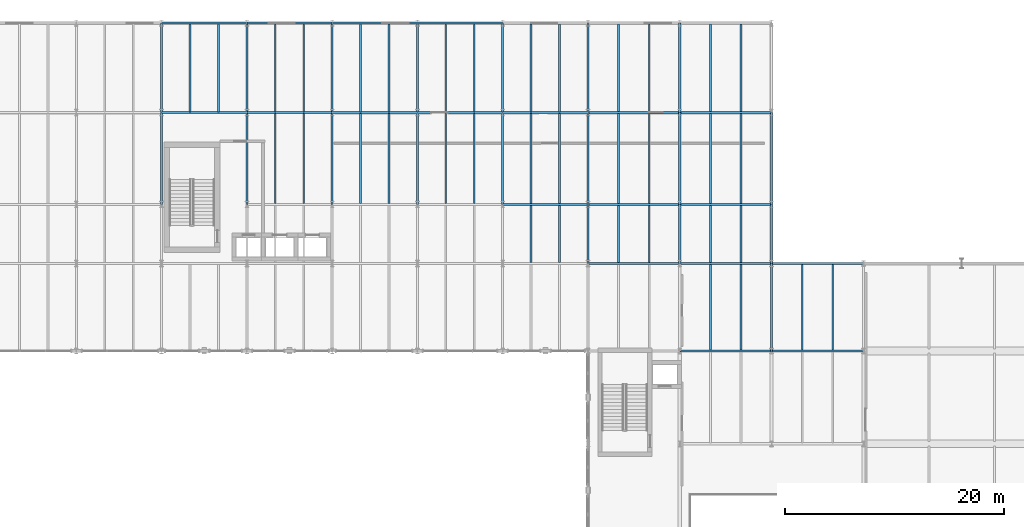
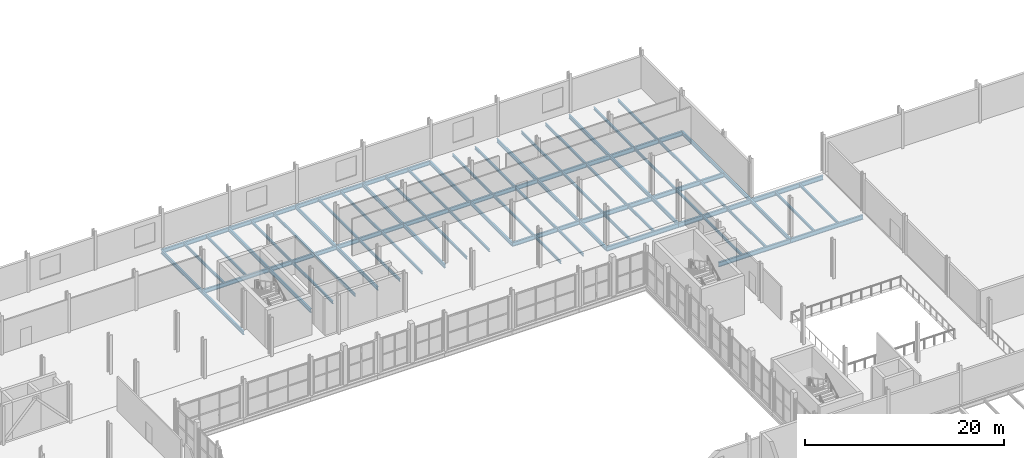
# One storey, part 32 of 63: 74 beams.
"""IFC4 building model written with IfcOpenShell, lengths in metres."""

from ifc_helpers import new_model, si_unit, direction, frame, origin, origin_2d, place, context, subcontext, project, spatial, i_section, extrude, material, material_profile, profile_set, type_object, element, save


model = new_model("IFC4")

# Units and contexts
model_context = context("Model", 3, precision=1e-05, world=origin(), true_north=direction((0.0, 1.0)))
body_context = subcontext(model_context, "Body", "Model", "MODEL_VIEW")
ifc_project = project(units=[si_unit("LENGTHUNIT", "METRE"), si_unit("AREAUNIT", "SQUARE_METRE"), si_unit("VOLUMEUNIT", "CUBIC_METRE"), si_unit("PLANEANGLEUNIT", "RADIAN"), si_unit("MASSUNIT", "GRAM", prefix="KILO")], contexts=[model_context])

# Site, building, storey
site_placement = place(None, origin())
site = spatial("IfcSite", under=ifc_project, at=site_placement, CompositionType="ELEMENT")
building_placement = place(site_placement, origin())
building = spatial("IfcBuilding", under=site, at=building_placement, Name="Sefraquen Railside Congress Hotel", CompositionType="ELEMENT")
storey_placement = place(building_placement, frame((0.0, 0.0, 11.39990234375)))
storey = spatial("IfcBuildingStorey", under=building, at=storey_placement, Name="L02", CompositionType="ELEMENT", Elevation=11.39990234375)

# Beams
ifc_material = material(Name="Steel S355JR", Category="steel")
ifc_material_profile_1 = material_profile(ifc_material, i_section(OverallWidth=0.18994140625, OverallDepth=0.449951171875, WebThickness=0.009521484375, FlangeThickness=0.0146484375, FilletRadius=0.02099609375, at=origin_2d()), Name="IPE 450")
ifc_profile_set_1 = profile_set([ifc_material_profile_1], Name="Steel S355JR")
beam_type_1 = type_object("IfcBeamType", Name="TB-BM-450", PredefinedType="BEAM", material=ifc_profile_set_1)
beam_1_placement = place(storey_placement, frame((64.199951171875, 101.39990234375, -0.574951171875), z_axis=(0.0, 1.0, 0.0), x_axis=(-1.0, 0.0, 0.0)))
element("IfcBeam", 1, at=beam_1_placement, inside=storey, type_object=beam_type_1, Name="Floor beam BM-L02-0896", PredefinedType="BEAM", context=body_context, shape_type="SweptSolid", body=[
    extrude(i_section(OverallWidth=0.18994140625, OverallDepth=0.449951171875, WebThickness=0.009521484375, FlangeThickness=0.0146484375, FilletRadius=0.02099609375, at=origin_2d()), origin(), (0.0, 0.0, 1.0), 8.400146484375),
])
beam_2_placement = place(storey_placement, frame((64.199951171875, 109.800048828125, -0.574951171875), z_axis=(0.0, 1.0, 0.0), x_axis=(-1.0, 0.0, 0.0)))
element("IfcBeam", 2, at=beam_2_placement, inside=storey, type_object=beam_type_1, Name="Floor beam BM-L02-0897", PredefinedType="BEAM", context=body_context, shape_type="SweptSolid", body=[
    extrude(i_section(OverallWidth=0.18994140625, OverallDepth=0.449951171875, WebThickness=0.009521484375, FlangeThickness=0.0146484375, FilletRadius=0.02099609375, at=origin_2d()), origin(), (0.0, 0.0, 1.0), 8.199951171875),
])
beam_3_placement = place(storey_placement, frame((72.0, 101.39990234375, -0.574951171875), z_axis=(0.0, 1.0, 0.0), x_axis=(-1.0, 0.0, 0.0)))
element("IfcBeam", 3, at=beam_3_placement, inside=storey, type_object=beam_type_1, Name="Floor beam BM-L02-0900", PredefinedType="BEAM", context=body_context, shape_type="SweptSolid", body=[
    extrude(i_section(OverallWidth=0.18994140625, OverallDepth=0.449951171875, WebThickness=0.009521484375, FlangeThickness=0.0146484375, FilletRadius=0.02099609375, at=origin_2d()), origin(), (0.0, 0.0, 1.0), 8.400146484375),
])
beam_4_placement = place(storey_placement, frame((72.0, 109.800048828125, -0.574951171875), z_axis=(0.0, 1.0, 0.0), x_axis=(-1.0, 0.0, 0.0)))
element("IfcBeam", 4, at=beam_4_placement, inside=storey, type_object=beam_type_1, Name="Floor beam BM-L02-0901", PredefinedType="BEAM", context=body_context, shape_type="SweptSolid", body=[
    extrude(i_section(OverallWidth=0.18994140625, OverallDepth=0.449951171875, WebThickness=0.009521484375, FlangeThickness=0.0146484375, FilletRadius=0.02099609375, at=origin_2d()), origin(), (0.0, 0.0, 1.0), 8.199951171875),
])
beam_5_placement = place(storey_placement, frame((79.800048828125, 101.39990234375, -0.574951171875), z_axis=(0.0, 1.0, 0.0), x_axis=(-1.0, 0.0, 0.0)))
element("IfcBeam", 5, at=beam_5_placement, inside=storey, type_object=beam_type_1, Name="Floor beam BM-L02-0905", PredefinedType="BEAM", context=body_context, shape_type="SweptSolid", body=[
    extrude(i_section(OverallWidth=0.18994140625, OverallDepth=0.449951171875, WebThickness=0.009521484375, FlangeThickness=0.0146484375, FilletRadius=0.02099609375, at=origin_2d()), origin(), (0.0, 0.0, 1.0), 8.400146484375),
])
beam_6_placement = place(storey_placement, frame((79.800048828125, 109.800048828125, -0.574951171875), z_axis=(0.0, 1.0, 0.0), x_axis=(-1.0, 0.0, 0.0)))
element("IfcBeam", 6, at=beam_6_placement, inside=storey, type_object=beam_type_1, Name="Floor beam BM-L02-0906", PredefinedType="BEAM", context=body_context, shape_type="SweptSolid", body=[
    extrude(i_section(OverallWidth=0.18994140625, OverallDepth=0.449951171875, WebThickness=0.009521484375, FlangeThickness=0.0146484375, FilletRadius=0.02099609375, at=origin_2d()), origin(), (0.0, 0.0, 1.0), 8.199951171875),
])
beam_7_placement = place(storey_placement, frame((87.60009765625, 101.39990234375, -0.574951171875), z_axis=(0.0, 1.0, 0.0), x_axis=(-1.0, 0.0, 0.0)))
element("IfcBeam", 7, at=beam_7_placement, inside=storey, type_object=beam_type_1, Name="Floor beam BM-L02-0913", PredefinedType="BEAM", context=body_context, shape_type="SweptSolid", body=[
    extrude(i_section(OverallWidth=0.18994140625, OverallDepth=0.449951171875, WebThickness=0.009521484375, FlangeThickness=0.0146484375, FilletRadius=0.02099609375, at=origin_2d()), origin(), (0.0, 0.0, 1.0), 8.400146484375),
])
beam_8_placement = place(storey_placement, frame((87.60009765625, 109.800048828125, -0.574951171875), z_axis=(0.0, 1.0, 0.0), x_axis=(-1.0, 0.0, 0.0)))
element("IfcBeam", 8, at=beam_8_placement, inside=storey, type_object=beam_type_1, Name="Floor beam BM-L02-0914", PredefinedType="BEAM", context=body_context, shape_type="SweptSolid", body=[
    extrude(i_section(OverallWidth=0.18994140625, OverallDepth=0.449951171875, WebThickness=0.009521484375, FlangeThickness=0.0146484375, FilletRadius=0.02099609375, at=origin_2d()), origin(), (0.0, 0.0, 1.0), 8.199951171875),
])
beam_9_placement = place(storey_placement, frame((95.39990234375, 101.39990234375, -0.574951171875), z_axis=(0.0, 1.0, 0.0), x_axis=(-1.0, 0.0, 0.0)))
element("IfcBeam", 9, at=beam_9_placement, inside=storey, type_object=beam_type_1, Name="Floor beam BM-L02-0921", PredefinedType="BEAM", context=body_context, shape_type="SweptSolid", body=[
    extrude(i_section(OverallWidth=0.18994140625, OverallDepth=0.449951171875, WebThickness=0.009521484375, FlangeThickness=0.0146484375, FilletRadius=0.02099609375, at=origin_2d()), origin(), (0.0, 0.0, 1.0), 8.400146484375),
])
beam_10_placement = place(storey_placement, frame((95.39990234375, 109.800048828125, -0.574951171875), z_axis=(0.0, 1.0, 0.0), x_axis=(-1.0, 0.0, 0.0)))
element("IfcBeam", 10, at=beam_10_placement, inside=storey, type_object=beam_type_1, Name="Floor beam BM-L02-0922", PredefinedType="BEAM", context=body_context, shape_type="SweptSolid", body=[
    extrude(i_section(OverallWidth=0.18994140625, OverallDepth=0.449951171875, WebThickness=0.009521484375, FlangeThickness=0.0146484375, FilletRadius=0.02099609375, at=origin_2d()), origin(), (0.0, 0.0, 1.0), 8.199951171875),
])
beam_11_placement = place(storey_placement, frame((103.199951171875, 96.0, -0.574951171875), z_axis=(0.0, 1.0, 0.0), x_axis=(-1.0, 0.0, 0.0)))
element("IfcBeam", 11, at=beam_11_placement, inside=storey, type_object=beam_type_1, Name="Floor beam BM-L02-0932", PredefinedType="BEAM", context=body_context, shape_type="SweptSolid", body=[
    extrude(i_section(OverallWidth=0.18994140625, OverallDepth=0.449951171875, WebThickness=0.009521484375, FlangeThickness=0.0146484375, FilletRadius=0.02099609375, at=origin_2d()), origin(), (0.0, 0.0, 1.0), 5.39990234375),
])
beam_12_placement = place(storey_placement, frame((103.199951171875, 101.39990234375, -0.574951171875), z_axis=(0.0, 1.0, 0.0), x_axis=(-1.0, 0.0, 0.0)))
element("IfcBeam", 12, at=beam_12_placement, inside=storey, type_object=beam_type_1, Name="Floor beam BM-L02-0933", PredefinedType="BEAM", context=body_context, shape_type="SweptSolid", body=[
    extrude(i_section(OverallWidth=0.18994140625, OverallDepth=0.449951171875, WebThickness=0.009521484375, FlangeThickness=0.0146484375, FilletRadius=0.02099609375, at=origin_2d()), origin(), (0.0, 0.0, 1.0), 8.400146484375),
])
beam_13_placement = place(storey_placement, frame((103.199951171875, 109.800048828125, -0.574951171875), z_axis=(0.0, 1.0, 0.0), x_axis=(-1.0, 0.0, 0.0)))
element("IfcBeam", 13, at=beam_13_placement, inside=storey, type_object=beam_type_1, Name="Floor beam BM-L02-0934", PredefinedType="BEAM", context=body_context, shape_type="SweptSolid", body=[
    extrude(i_section(OverallWidth=0.18994140625, OverallDepth=0.449951171875, WebThickness=0.009521484375, FlangeThickness=0.0146484375, FilletRadius=0.02099609375, at=origin_2d()), origin(), (0.0, 0.0, 1.0), 8.199951171875),
])
beam_14_placement = place(storey_placement, frame((111.60009765625, 96.0, -0.574951171875), z_axis=(0.0, 1.0, 0.0), x_axis=(-1.0, 0.0, 0.0)))
element("IfcBeam", 14, at=beam_14_placement, inside=storey, type_object=beam_type_1, Name="Floor beam BM-L02-0940", PredefinedType="BEAM", context=body_context, shape_type="SweptSolid", body=[
    extrude(i_section(OverallWidth=0.18994140625, OverallDepth=0.449951171875, WebThickness=0.009521484375, FlangeThickness=0.0146484375, FilletRadius=0.02099609375, at=origin_2d()), origin(), (0.0, 0.0, 1.0), 5.39990234375),
])
beam_15_placement = place(storey_placement, frame((111.60009765625, 101.39990234375, -0.574951171875), z_axis=(0.0, 1.0, 0.0), x_axis=(-1.0, 0.0, 0.0)))
element("IfcBeam", 15, at=beam_15_placement, inside=storey, type_object=beam_type_1, Name="Floor beam BM-L02-0941", PredefinedType="BEAM", context=body_context, shape_type="SweptSolid", body=[
    extrude(i_section(OverallWidth=0.18994140625, OverallDepth=0.449951171875, WebThickness=0.009521484375, FlangeThickness=0.0146484375, FilletRadius=0.02099609375, at=origin_2d()), origin(), (0.0, 0.0, 1.0), 8.400146484375),
])
beam_16_placement = place(storey_placement, frame((111.60009765625, 109.800048828125, -0.574951171875), z_axis=(0.0, 1.0, 0.0), x_axis=(-1.0, 0.0, 0.0)))
element("IfcBeam", 16, at=beam_16_placement, inside=storey, type_object=beam_type_1, Name="Floor beam BM-L02-0942", PredefinedType="BEAM", context=body_context, shape_type="SweptSolid", body=[
    extrude(i_section(OverallWidth=0.18994140625, OverallDepth=0.449951171875, WebThickness=0.009521484375, FlangeThickness=0.0146484375, FilletRadius=0.02099609375, at=origin_2d()), origin(), (0.0, 0.0, 1.0), 8.199951171875),
])
beam_17_placement = place(storey_placement, frame((120.0, 88.0, -0.574951171875), z_axis=(0.0, 1.0, 0.0), x_axis=(-1.0, 0.0, 0.0)))
element("IfcBeam", 17, at=beam_17_placement, inside=storey, type_object=beam_type_1, Name="Floor beam BM-L02-0950", PredefinedType="BEAM", context=body_context, shape_type="SweptSolid", body=[
    extrude(i_section(OverallWidth=0.18994140625, OverallDepth=0.449951171875, WebThickness=0.009521484375, FlangeThickness=0.0146484375, FilletRadius=0.02099609375, at=origin_2d()), origin(), (0.0, 0.0, 1.0), 8.0),
])
beam_18_placement = place(storey_placement, frame((120.0, 96.0, -0.574951171875), z_axis=(0.0, 1.0, 0.0), x_axis=(-1.0, 0.0, 0.0)))
element("IfcBeam", 18, at=beam_18_placement, inside=storey, type_object=beam_type_1, Name="Floor beam BM-L02-0951", PredefinedType="BEAM", context=body_context, shape_type="SweptSolid", body=[
    extrude(i_section(OverallWidth=0.18994140625, OverallDepth=0.449951171875, WebThickness=0.009521484375, FlangeThickness=0.0146484375, FilletRadius=0.02099609375, at=origin_2d()), origin(), (0.0, 0.0, 1.0), 5.39990234375),
])
beam_19_placement = place(storey_placement, frame((120.0, 101.39990234375, -0.574951171875), z_axis=(0.0, 1.0, 0.0), x_axis=(-1.0, 0.0, 0.0)))
element("IfcBeam", 19, at=beam_19_placement, inside=storey, type_object=beam_type_1, Name="Floor beam BM-L02-0952", PredefinedType="BEAM", context=body_context, shape_type="SweptSolid", body=[
    extrude(i_section(OverallWidth=0.18994140625, OverallDepth=0.449951171875, WebThickness=0.009521484375, FlangeThickness=0.0146484375, FilletRadius=0.02099609375, at=origin_2d()), origin(), (0.0, 0.0, 1.0), 8.400146484375),
])
ifc_material_profile_2 = material_profile(ifc_material, i_section(OverallWidth=0.199951171875, OverallDepth=0.5, WebThickness=0.01025390625, FlangeThickness=0.01611328125, FilletRadius=0.02099609375, at=origin_2d()), Name="IPE 500")
ifc_profile_set_2 = profile_set([ifc_material_profile_2], Name="Steel S355JR")
beam_type_2 = type_object("IfcBeamType", Name="TB-BM-500", PredefinedType="BEAM", material=ifc_profile_set_2)
for number, where, z_axis, x_axis, name in (
    (20, (95.39990234375, 101.39990234375, -0.599853515625), (1.0, 0.0, 0.0), (0.0, 1.0, 0.0), "Primary girder BM-L02-0804"),
    (21, (64.199951171875, 109.800048828125, -0.599853515625), (1.0, 0.0, 0.0), (0.0, 1.0, 0.0), "Primary girder BM-L02-0814"),
    (22, (72.0, 109.800048828125, -0.599853515625), (1.0, 0.0, 0.0), (0.0, 1.0, 0.0), "Primary girder BM-L02-0815"),
    (23, (79.800048828125, 109.800048828125, -0.599853515625), (1.0, 0.0, 0.0), (0.0, 1.0, 0.0), "Primary girder BM-L02-0816"),
):
    element("IfcBeam", number, at=place(storey_placement, frame(where, z_axis=z_axis, x_axis=x_axis)), inside=storey, type_object=beam_type_2, Name=name, PredefinedType="BEAM", context=body_context, shape_type="SweptSolid", body=[
        extrude(i_section(OverallWidth=0.199951171875, OverallDepth=0.5, WebThickness=0.01025390625, FlangeThickness=0.01611328125, FilletRadius=0.02099609375, at=origin_2d()), origin(), (0.0, 0.0, 1.0), 7.800048828125),
    ])
beam_20_placement = place(storey_placement, frame((87.60009765625, 109.800048828125, -0.599853515625), z_axis=(1.0, 0.0, 0.0), x_axis=(0.0, 1.0, 0.0)))
element("IfcBeam", 24, at=beam_20_placement, inside=storey, type_object=beam_type_2, Name="Primary girder BM-L02-0817", PredefinedType="BEAM", context=body_context, shape_type="SweptSolid", body=[
    extrude(i_section(OverallWidth=0.199951171875, OverallDepth=0.5, WebThickness=0.01025390625, FlangeThickness=0.01611328125, FilletRadius=0.02099609375, at=origin_2d()), origin(), (0.0, 0.0, 1.0), 7.7998046875),
])
for number, where, z_axis, x_axis, name in (
    (25, (95.39990234375, 109.800048828125, -0.599853515625), (1.0, 0.0, 0.0), (0.0, 1.0, 0.0), "Primary girder BM-L02-0818"),
    (26, (64.199951171875, 118.0, -0.599853515625), (1.0, 0.0, 0.0), (0.0, 1.0, 0.0), "Primary girder BM-L02-0826"),
    (27, (72.0, 118.0, -0.599853515625), (1.0, 0.0, 0.0), (0.0, 1.0, 0.0), "Primary girder BM-L02-0827"),
    (28, (79.800048828125, 118.0, -0.599853515625), (1.0, 0.0, 0.0), (0.0, 1.0, 0.0), "Primary girder BM-L02-0828"),
):
    element("IfcBeam", number, at=place(storey_placement, frame(where, z_axis=z_axis, x_axis=x_axis)), inside=storey, type_object=beam_type_2, Name=name, PredefinedType="BEAM", context=body_context, shape_type="SweptSolid", body=[
        extrude(i_section(OverallWidth=0.199951171875, OverallDepth=0.5, WebThickness=0.01025390625, FlangeThickness=0.01611328125, FilletRadius=0.02099609375, at=origin_2d()), origin(), (0.0, 0.0, 1.0), 7.800048828125),
    ])
beam_21_placement = place(storey_placement, frame((87.60009765625, 118.0, -0.599853515625), z_axis=(1.0, 0.0, 0.0), x_axis=(0.0, 1.0, 0.0)))
element("IfcBeam", 29, at=beam_21_placement, inside=storey, type_object=beam_type_2, Name="Primary girder BM-L02-0829", PredefinedType="BEAM", context=body_context, shape_type="SweptSolid", body=[
    extrude(i_section(OverallWidth=0.199951171875, OverallDepth=0.5, WebThickness=0.01025390625, FlangeThickness=0.01611328125, FilletRadius=0.02099609375, at=origin_2d()), origin(), (0.0, 0.0, 1.0), 7.7998046875),
])
ifc_material_profile_3 = material_profile(ifc_material, i_section(OverallWidth=0.2099609375, OverallDepth=0.550048828125, WebThickness=0.010986328125, FlangeThickness=0.01708984375, FilletRadius=0.02392578125, at=origin_2d()), Name="IPE 550")
ifc_profile_set_3 = profile_set([ifc_material_profile_3], Name="Steel S355JR")
beam_type_3 = type_object("IfcBeamType", Name="TB-GIR-550", PredefinedType="T_BEAM", material=ifc_profile_set_3)
for number, where, z_axis, x_axis, name in (
    (30, (111.60009765625, 88.0, -0.625), (1.0, 0.0, 0.0), (0.0, 1.0, 0.0), "Primary girder BM-L02-0772"),
    (31, (120.0, 88.0, -0.625), (1.0, 0.0, 0.0), (0.0, 1.0, 0.0), "Primary girder BM-L02-0773"),
):
    element("IfcBeam", number, at=place(storey_placement, frame(where, z_axis=z_axis, x_axis=x_axis)), inside=storey, type_object=beam_type_3, Name=name, PredefinedType="T_BEAM", context=body_context, shape_type="SweptSolid", body=[
        extrude(i_section(OverallWidth=0.2099609375, OverallDepth=0.550048828125, WebThickness=0.010986328125, FlangeThickness=0.01708984375, FilletRadius=0.02392578125, at=origin_2d()), origin(), (0.0, 0.0, 1.0), 8.39990234375),
    ])
beam_22_placement = place(storey_placement, frame((103.199951171875, 96.0, -0.625), z_axis=(1.0, 0.0, 0.0), x_axis=(0.0, 1.0, 0.0)))
element("IfcBeam", 32, at=beam_22_placement, inside=storey, type_object=beam_type_3, Name="Primary girder BM-L02-0787", PredefinedType="T_BEAM", context=body_context, shape_type="SweptSolid", body=[
    extrude(i_section(OverallWidth=0.2099609375, OverallDepth=0.550048828125, WebThickness=0.010986328125, FlangeThickness=0.01708984375, FilletRadius=0.02392578125, at=origin_2d()), origin(), (0.0, 0.0, 1.0), 8.400146484375),
])
for number, where, z_axis, x_axis, name in (
    (33, (111.60009765625, 96.0, -0.625), (1.0, 0.0, 0.0), (0.0, 1.0, 0.0), "Primary girder BM-L02-0788"),
    (34, (120.0, 96.0, -0.625), (1.0, 0.0, 0.0), (0.0, 1.0, 0.0), "Primary girder BM-L02-0789"),
):
    element("IfcBeam", number, at=place(storey_placement, frame(where, z_axis=z_axis, x_axis=x_axis)), inside=storey, type_object=beam_type_3, Name=name, PredefinedType="T_BEAM", context=body_context, shape_type="SweptSolid", body=[
        extrude(i_section(OverallWidth=0.2099609375, OverallDepth=0.550048828125, WebThickness=0.010986328125, FlangeThickness=0.01708984375, FilletRadius=0.02392578125, at=origin_2d()), origin(), (0.0, 0.0, 1.0), 8.39990234375),
    ])
beam_23_placement = place(storey_placement, frame((103.199951171875, 101.39990234375, -0.625), z_axis=(1.0, 0.0, 0.0), x_axis=(0.0, 1.0, 0.0)))
element("IfcBeam", 35, at=beam_23_placement, inside=storey, type_object=beam_type_3, Name="Primary girder BM-L02-0805", PredefinedType="T_BEAM", context=body_context, shape_type="SweptSolid", body=[
    extrude(i_section(OverallWidth=0.2099609375, OverallDepth=0.550048828125, WebThickness=0.010986328125, FlangeThickness=0.01708984375, FilletRadius=0.02392578125, at=origin_2d()), origin(), (0.0, 0.0, 1.0), 8.400146484375),
])
beam_24_placement = place(storey_placement, frame((111.60009765625, 101.39990234375, -0.625), z_axis=(1.0, 0.0, 0.0), x_axis=(0.0, 1.0, 0.0)))
element("IfcBeam", 36, at=beam_24_placement, inside=storey, type_object=beam_type_3, Name="Primary girder BM-L02-0806", PredefinedType="T_BEAM", context=body_context, shape_type="SweptSolid", body=[
    extrude(i_section(OverallWidth=0.2099609375, OverallDepth=0.550048828125, WebThickness=0.010986328125, FlangeThickness=0.01708984375, FilletRadius=0.02392578125, at=origin_2d()), origin(), (0.0, 0.0, 1.0), 8.39990234375),
])
beam_25_placement = place(storey_placement, frame((103.199951171875, 109.800048828125, -0.625), z_axis=(1.0, 0.0, 0.0), x_axis=(0.0, 1.0, 0.0)))
element("IfcBeam", 37, at=beam_25_placement, inside=storey, type_object=beam_type_3, Name="Primary girder BM-L02-0819", PredefinedType="T_BEAM", context=body_context, shape_type="SweptSolid", body=[
    extrude(i_section(OverallWidth=0.2099609375, OverallDepth=0.550048828125, WebThickness=0.010986328125, FlangeThickness=0.01708984375, FilletRadius=0.02392578125, at=origin_2d()), origin(), (0.0, 0.0, 1.0), 8.400146484375),
])
beam_26_placement = place(storey_placement, frame((111.60009765625, 109.800048828125, -0.625), z_axis=(1.0, 0.0, 0.0), x_axis=(0.0, 1.0, 0.0)))
element("IfcBeam", 38, at=beam_26_placement, inside=storey, type_object=beam_type_3, Name="Primary girder BM-L02-0820", PredefinedType="T_BEAM", context=body_context, shape_type="SweptSolid", body=[
    extrude(i_section(OverallWidth=0.2099609375, OverallDepth=0.550048828125, WebThickness=0.010986328125, FlangeThickness=0.01708984375, FilletRadius=0.02392578125, at=origin_2d()), origin(), (0.0, 0.0, 1.0), 8.39990234375),
])
ifc_material_profile_4 = material_profile(ifc_material, i_section(OverallWidth=0.159912109375, OverallDepth=0.330078125, WebThickness=0.007568359375, FlangeThickness=0.011474609375, FilletRadius=0.01806640625, at=origin_2d()), Name="IPE 330")
ifc_profile_set_4 = profile_set([ifc_material_profile_4], Name="Steel S355JR")
beam_type_4 = type_object("IfcBeamType", Name="TB-JST-330", PredefinedType="JOIST", material=ifc_profile_set_4)
for number, where, z_axis, x_axis, name in (
    (39, (66.800048828125, 109.8798828125, -0.514892578125), (0.0, 1.0, 0.0), (-1.0, 0.0, 0.0), "Composite floor joist BM-L02-J0518"),
    (40, (69.39990234375, 109.8798828125, -0.514892578125), (0.0, 1.0, 0.0), (-1.0, 0.0, 0.0), "Composite floor joist BM-L02-J0519"),
):
    element("IfcBeam", number, at=place(storey_placement, frame(where, z_axis=z_axis, x_axis=x_axis)), inside=storey, type_object=beam_type_4, Name=name, PredefinedType="JOIST", context=body_context, shape_type="SweptSolid", body=[
        extrude(i_section(OverallWidth=0.159912109375, OverallDepth=0.330078125, WebThickness=0.007568359375, FlangeThickness=0.011474609375, FilletRadius=0.01806640625, at=origin_2d()), origin(), (0.0, 0.0, 1.0), 8.0400390625),
    ])
for number, where, z_axis, x_axis, name in (
    (41, (74.60009765625, 101.47998046875, -0.514892578125), (0.0, 1.0, 0.0), (-1.0, 0.0, 0.0), "Composite floor joist BM-L02-J0524"),
    (42, (77.199951171875, 101.47998046875, -0.514892578125), (0.0, 1.0, 0.0), (-1.0, 0.0, 0.0), "Composite floor joist BM-L02-J0525"),
):
    element("IfcBeam", number, at=place(storey_placement, frame(where, z_axis=z_axis, x_axis=x_axis)), inside=storey, type_object=beam_type_4, Name=name, PredefinedType="JOIST", context=body_context, shape_type="SweptSolid", body=[
        extrude(i_section(OverallWidth=0.159912109375, OverallDepth=0.330078125, WebThickness=0.007568359375, FlangeThickness=0.011474609375, FilletRadius=0.01806640625, at=origin_2d()), origin(), (0.0, 0.0, 1.0), 8.239990234375),
    ])
for number, where, z_axis, x_axis, name in (
    (43, (74.60009765625, 109.8798828125, -0.514892578125), (0.0, 1.0, 0.0), (-1.0, 0.0, 0.0), "Composite floor joist BM-L02-J0526"),
    (44, (77.199951171875, 109.8798828125, -0.514892578125), (0.0, 1.0, 0.0), (-1.0, 0.0, 0.0), "Composite floor joist BM-L02-J0527"),
):
    element("IfcBeam", number, at=place(storey_placement, frame(where, z_axis=z_axis, x_axis=x_axis)), inside=storey, type_object=beam_type_4, Name=name, PredefinedType="JOIST", context=body_context, shape_type="SweptSolid", body=[
        extrude(i_section(OverallWidth=0.159912109375, OverallDepth=0.330078125, WebThickness=0.007568359375, FlangeThickness=0.011474609375, FilletRadius=0.01806640625, at=origin_2d()), origin(), (0.0, 0.0, 1.0), 8.0400390625),
    ])
for number, where, z_axis, x_axis, name in (
    (45, (82.39990234375, 101.47998046875, -0.514892578125), (0.0, 1.0, 0.0), (-1.0, 0.0, 0.0), "Composite floor joist BM-L02-J0534"),
    (46, (85.0, 101.47998046875, -0.514892578125), (0.0, 1.0, 0.0), (-1.0, 0.0, 0.0), "Composite floor joist BM-L02-J0535"),
):
    element("IfcBeam", number, at=place(storey_placement, frame(where, z_axis=z_axis, x_axis=x_axis)), inside=storey, type_object=beam_type_4, Name=name, PredefinedType="JOIST", context=body_context, shape_type="SweptSolid", body=[
        extrude(i_section(OverallWidth=0.159912109375, OverallDepth=0.330078125, WebThickness=0.007568359375, FlangeThickness=0.011474609375, FilletRadius=0.01806640625, at=origin_2d()), origin(), (0.0, 0.0, 1.0), 8.239990234375),
    ])
for number, where, z_axis, x_axis, name in (
    (47, (82.39990234375, 109.8798828125, -0.514892578125), (0.0, 1.0, 0.0), (-1.0, 0.0, 0.0), "Composite floor joist BM-L02-J0536"),
    (48, (85.0, 109.8798828125, -0.514892578125), (0.0, 1.0, 0.0), (-1.0, 0.0, 0.0), "Composite floor joist BM-L02-J0537"),
):
    element("IfcBeam", number, at=place(storey_placement, frame(where, z_axis=z_axis, x_axis=x_axis)), inside=storey, type_object=beam_type_4, Name=name, PredefinedType="JOIST", context=body_context, shape_type="SweptSolid", body=[
        extrude(i_section(OverallWidth=0.159912109375, OverallDepth=0.330078125, WebThickness=0.007568359375, FlangeThickness=0.011474609375, FilletRadius=0.01806640625, at=origin_2d()), origin(), (0.0, 0.0, 1.0), 8.0400390625),
    ])
for number, where, z_axis, x_axis, name in (
    (49, (90.199951171875, 101.47998046875, -0.514892578125), (0.0, 1.0, 0.0), (-1.0, 0.0, 0.0), "Composite floor joist BM-L02-J0550"),
    (50, (92.800048828125, 101.47998046875, -0.514892578125), (0.0, 1.0, 0.0), (-1.0, 0.0, 0.0), "Composite floor joist BM-L02-J0551"),
):
    element("IfcBeam", number, at=place(storey_placement, frame(where, z_axis=z_axis, x_axis=x_axis)), inside=storey, type_object=beam_type_4, Name=name, PredefinedType="JOIST", context=body_context, shape_type="SweptSolid", body=[
        extrude(i_section(OverallWidth=0.159912109375, OverallDepth=0.330078125, WebThickness=0.007568359375, FlangeThickness=0.011474609375, FilletRadius=0.01806640625, at=origin_2d()), origin(), (0.0, 0.0, 1.0), 8.239990234375),
    ])
for number, where, z_axis, x_axis, name in (
    (51, (90.199951171875, 109.8798828125, -0.514892578125), (0.0, 1.0, 0.0), (-1.0, 0.0, 0.0), "Composite floor joist BM-L02-J0552"),
    (52, (92.800048828125, 109.8798828125, -0.514892578125), (0.0, 1.0, 0.0), (-1.0, 0.0, 0.0), "Composite floor joist BM-L02-J0553"),
):
    element("IfcBeam", number, at=place(storey_placement, frame(where, z_axis=z_axis, x_axis=x_axis)), inside=storey, type_object=beam_type_4, Name=name, PredefinedType="JOIST", context=body_context, shape_type="SweptSolid", body=[
        extrude(i_section(OverallWidth=0.159912109375, OverallDepth=0.330078125, WebThickness=0.007568359375, FlangeThickness=0.011474609375, FilletRadius=0.01806640625, at=origin_2d()), origin(), (0.0, 0.0, 1.0), 8.0400390625),
    ])
for number, where, z_axis, x_axis, name in (
    (53, (98.0, 96.080078125, -0.514892578125), (0.0, 1.0, 0.0), (-1.0, 0.0, 0.0), "Composite floor joist BM-L02-J0558"),
    (54, (100.60009765625, 96.080078125, -0.514892578125), (0.0, 1.0, 0.0), (-1.0, 0.0, 0.0), "Composite floor joist BM-L02-J0559"),
):
    element("IfcBeam", number, at=place(storey_placement, frame(where, z_axis=z_axis, x_axis=x_axis)), inside=storey, type_object=beam_type_4, Name=name, PredefinedType="JOIST", context=body_context, shape_type="SweptSolid", body=[
        extrude(i_section(OverallWidth=0.159912109375, OverallDepth=0.330078125, WebThickness=0.007568359375, FlangeThickness=0.011474609375, FilletRadius=0.01806640625, at=origin_2d()), origin(), (0.0, 0.0, 1.0), 5.239990234375),
    ])
for number, where, z_axis, x_axis, name in (
    (55, (98.0, 101.47998046875, -0.514892578125), (0.0, 1.0, 0.0), (-1.0, 0.0, 0.0), "Composite floor joist BM-L02-J0560"),
    (56, (100.60009765625, 101.47998046875, -0.514892578125), (0.0, 1.0, 0.0), (-1.0, 0.0, 0.0), "Composite floor joist BM-L02-J0561"),
):
    element("IfcBeam", number, at=place(storey_placement, frame(where, z_axis=z_axis, x_axis=x_axis)), inside=storey, type_object=beam_type_4, Name=name, PredefinedType="JOIST", context=body_context, shape_type="SweptSolid", body=[
        extrude(i_section(OverallWidth=0.159912109375, OverallDepth=0.330078125, WebThickness=0.007568359375, FlangeThickness=0.011474609375, FilletRadius=0.01806640625, at=origin_2d()), origin(), (0.0, 0.0, 1.0), 8.239990234375),
    ])
for number, where, z_axis, x_axis, name in (
    (57, (98.0, 109.8798828125, -0.514892578125), (0.0, 1.0, 0.0), (-1.0, 0.0, 0.0), "Composite floor joist BM-L02-J0562"),
    (58, (100.60009765625, 109.8798828125, -0.514892578125), (0.0, 1.0, 0.0), (-1.0, 0.0, 0.0), "Composite floor joist BM-L02-J0563"),
):
    element("IfcBeam", number, at=place(storey_placement, frame(where, z_axis=z_axis, x_axis=x_axis)), inside=storey, type_object=beam_type_4, Name=name, PredefinedType="JOIST", context=body_context, shape_type="SweptSolid", body=[
        extrude(i_section(OverallWidth=0.159912109375, OverallDepth=0.330078125, WebThickness=0.007568359375, FlangeThickness=0.011474609375, FilletRadius=0.01806640625, at=origin_2d()), origin(), (0.0, 0.0, 1.0), 8.0400390625),
    ])
for number, where, z_axis, x_axis, name in (
    (59, (106.0, 96.0849609375, -0.514892578125), (0.0, 1.0, 0.0), (-1.0, 0.0, 0.0), "Composite floor joist BM-L02-J0566"),
    (60, (108.800048828125, 96.0849609375, -0.514892578125), (0.0, 1.0, 0.0), (-1.0, 0.0, 0.0), "Composite floor joist BM-L02-J0567"),
):
    element("IfcBeam", number, at=place(storey_placement, frame(where, z_axis=z_axis, x_axis=x_axis)), inside=storey, type_object=beam_type_4, Name=name, PredefinedType="JOIST", context=body_context, shape_type="SweptSolid", body=[
        extrude(i_section(OverallWidth=0.159912109375, OverallDepth=0.330078125, WebThickness=0.007568359375, FlangeThickness=0.011474609375, FilletRadius=0.01806640625, at=origin_2d()), origin(), (0.0, 0.0, 1.0), 5.22998046875),
    ])
for number, where, z_axis, x_axis, name in (
    (61, (106.0, 101.485107421875, -0.514892578125), (0.0, 1.0, 0.0), (-1.0, 0.0, 0.0), "Composite floor joist BM-L02-J0568"),
    (62, (108.800048828125, 101.485107421875, -0.514892578125), (0.0, 1.0, 0.0), (-1.0, 0.0, 0.0), "Composite floor joist BM-L02-J0569"),
):
    element("IfcBeam", number, at=place(storey_placement, frame(where, z_axis=z_axis, x_axis=x_axis)), inside=storey, type_object=beam_type_4, Name=name, PredefinedType="JOIST", context=body_context, shape_type="SweptSolid", body=[
        extrude(i_section(OverallWidth=0.159912109375, OverallDepth=0.330078125, WebThickness=0.007568359375, FlangeThickness=0.011474609375, FilletRadius=0.01806640625, at=origin_2d()), origin(), (0.0, 0.0, 1.0), 8.22998046875),
    ])
for number, where, z_axis, x_axis, name in (
    (63, (106.0, 109.885009765625, -0.514892578125), (0.0, 1.0, 0.0), (-1.0, 0.0, 0.0), "Composite floor joist BM-L02-J0570"),
    (64, (108.800048828125, 109.885009765625, -0.514892578125), (0.0, 1.0, 0.0), (-1.0, 0.0, 0.0), "Composite floor joist BM-L02-J0571"),
):
    element("IfcBeam", number, at=place(storey_placement, frame(where, z_axis=z_axis, x_axis=x_axis)), inside=storey, type_object=beam_type_4, Name=name, PredefinedType="JOIST", context=body_context, shape_type="SweptSolid", body=[
        extrude(i_section(OverallWidth=0.159912109375, OverallDepth=0.330078125, WebThickness=0.007568359375, FlangeThickness=0.011474609375, FilletRadius=0.01806640625, at=origin_2d()), origin(), (0.0, 0.0, 1.0), 8.030029296875),
    ])
for number, where, z_axis, x_axis, name in (
    (65, (114.39990234375, 88.0849609375, -0.514892578125), (0.0, 1.0, 0.0), (-1.0, 0.0, 0.0), "Composite floor joist BM-L02-J0576"),
    (66, (117.199951171875, 88.0849609375, -0.514892578125), (0.0, 1.0, 0.0), (-1.0, 0.0, 0.0), "Composite floor joist BM-L02-J0577"),
):
    element("IfcBeam", number, at=place(storey_placement, frame(where, z_axis=z_axis, x_axis=x_axis)), inside=storey, type_object=beam_type_4, Name=name, PredefinedType="JOIST", context=body_context, shape_type="SweptSolid", body=[
        extrude(i_section(OverallWidth=0.159912109375, OverallDepth=0.330078125, WebThickness=0.007568359375, FlangeThickness=0.011474609375, FilletRadius=0.01806640625, at=origin_2d()), origin(), (0.0, 0.0, 1.0), 7.830078125),
    ])
for number, where, z_axis, x_axis, name in (
    (67, (114.39990234375, 96.0849609375, -0.514892578125), (0.0, 1.0, 0.0), (-1.0, 0.0, 0.0), "Composite floor joist BM-L02-J0578"),
    (68, (117.199951171875, 96.0849609375, -0.514892578125), (0.0, 1.0, 0.0), (-1.0, 0.0, 0.0), "Composite floor joist BM-L02-J0579"),
):
    element("IfcBeam", number, at=place(storey_placement, frame(where, z_axis=z_axis, x_axis=x_axis)), inside=storey, type_object=beam_type_4, Name=name, PredefinedType="JOIST", context=body_context, shape_type="SweptSolid", body=[
        extrude(i_section(OverallWidth=0.159912109375, OverallDepth=0.330078125, WebThickness=0.007568359375, FlangeThickness=0.011474609375, FilletRadius=0.01806640625, at=origin_2d()), origin(), (0.0, 0.0, 1.0), 5.22998046875),
    ])
for number, where, z_axis, x_axis, name in (
    (69, (114.39990234375, 101.485107421875, -0.514892578125), (0.0, 1.0, 0.0), (-1.0, 0.0, 0.0), "Composite floor joist BM-L02-J0580"),
    (70, (117.199951171875, 101.485107421875, -0.514892578125), (0.0, 1.0, 0.0), (-1.0, 0.0, 0.0), "Composite floor joist BM-L02-J0581"),
):
    element("IfcBeam", number, at=place(storey_placement, frame(where, z_axis=z_axis, x_axis=x_axis)), inside=storey, type_object=beam_type_4, Name=name, PredefinedType="JOIST", context=body_context, shape_type="SweptSolid", body=[
        extrude(i_section(OverallWidth=0.159912109375, OverallDepth=0.330078125, WebThickness=0.007568359375, FlangeThickness=0.011474609375, FilletRadius=0.01806640625, at=origin_2d()), origin(), (0.0, 0.0, 1.0), 8.22998046875),
    ])
for number, where, z_axis, x_axis, name in (
    (71, (114.39990234375, 109.885009765625, -0.514892578125), (0.0, 1.0, 0.0), (-1.0, 0.0, 0.0), "Composite floor joist BM-L02-J0582"),
    (72, (117.199951171875, 109.885009765625, -0.514892578125), (0.0, 1.0, 0.0), (-1.0, 0.0, 0.0), "Composite floor joist BM-L02-J0583"),
):
    element("IfcBeam", number, at=place(storey_placement, frame(where, z_axis=z_axis, x_axis=x_axis)), inside=storey, type_object=beam_type_4, Name=name, PredefinedType="JOIST", context=body_context, shape_type="SweptSolid", body=[
        extrude(i_section(OverallWidth=0.159912109375, OverallDepth=0.330078125, WebThickness=0.007568359375, FlangeThickness=0.011474609375, FilletRadius=0.01806640625, at=origin_2d()), origin(), (0.0, 0.0, 1.0), 8.030029296875),
    ])
for number, where, z_axis, x_axis, name in (
    (73, (122.800048828125, 88.0849609375, -0.514892578125), (0.0, 1.0, 0.0), (-1.0, 0.0, 0.0), "Composite floor joist BM-L02-J0598"),
    (74, (125.60009765625, 88.0849609375, -0.514892578125), (0.0, 1.0, 0.0), (-1.0, 0.0, 0.0), "Composite floor joist BM-L02-J0599"),
):
    element("IfcBeam", number, at=place(storey_placement, frame(where, z_axis=z_axis, x_axis=x_axis)), inside=storey, type_object=beam_type_4, Name=name, PredefinedType="JOIST", context=body_context, shape_type="SweptSolid", body=[
        extrude(i_section(OverallWidth=0.159912109375, OverallDepth=0.330078125, WebThickness=0.007568359375, FlangeThickness=0.011474609375, FilletRadius=0.01806640625, at=origin_2d()), origin(), (0.0, 0.0, 1.0), 7.830078125),
    ])

save(model, "model.ifc")
